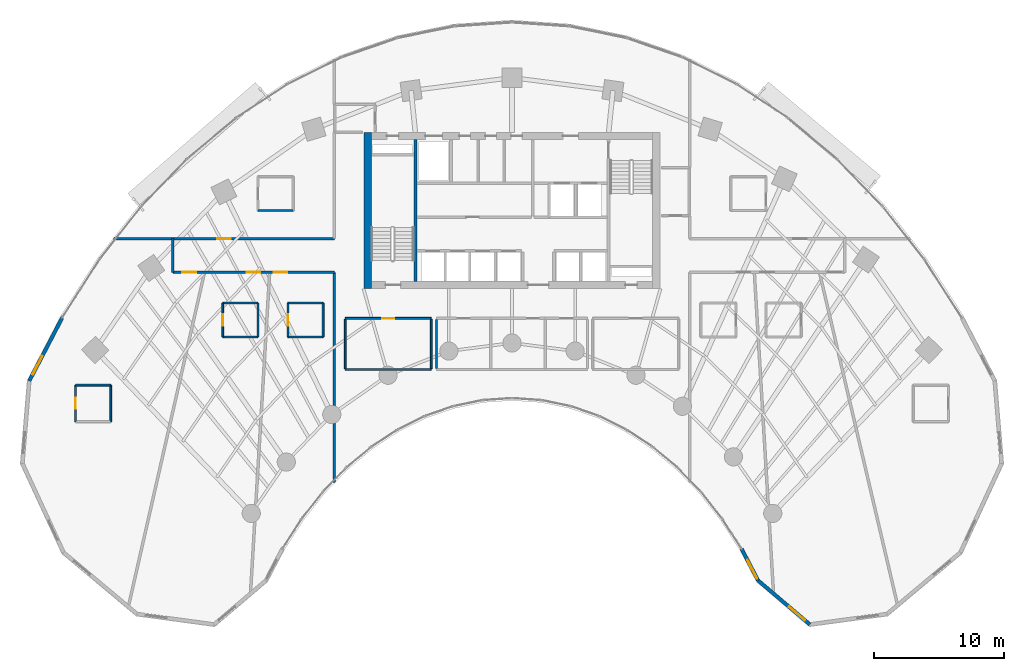
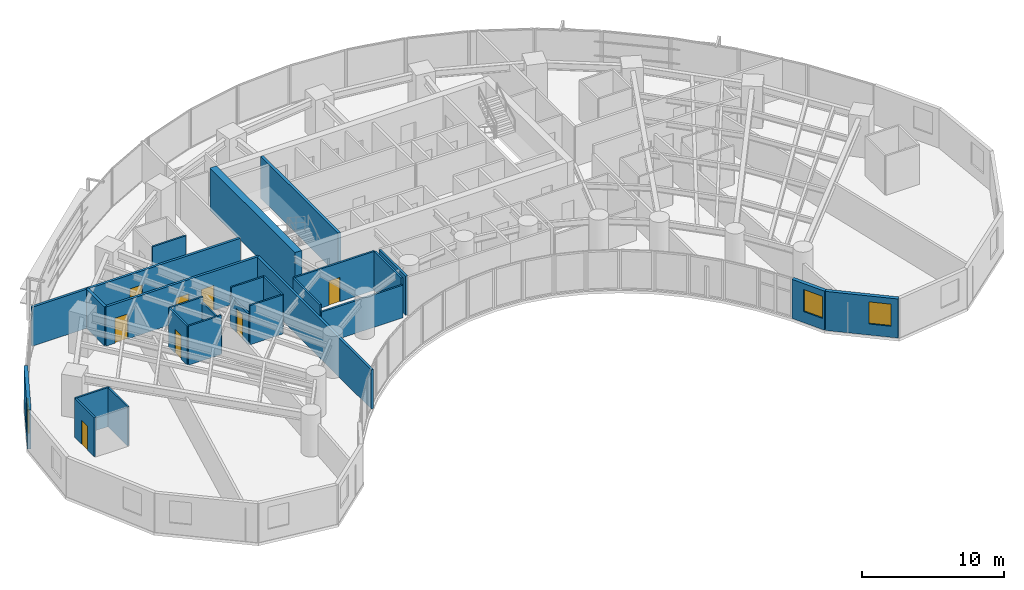
# One storey, part 11 of 17: 26 walls, 8 doors, 3 windows, 11 openings.
"""IFC4 building model written with IfcOpenShell, lengths in metres."""

from ifc_helpers import new_model, si_unit, direction, frame, frame_2d, origin, place, context, subcontext, project, spatial, rectangle, extrude, source, transform, mapped, material, layer, layer_set, type_object, type_shapes, element, fill, save


model = new_model("IFC4")

# Units and contexts
model_context = context("Model", 3, precision=1e-05, world=origin(), true_north=direction((0.0, 1.0)))
body_context = subcontext(model_context, "Body", "Model", "MODEL_VIEW")
ifc_project = project(units=[si_unit("LENGTHUNIT", "METRE"), si_unit("AREAUNIT", "SQUARE_METRE"), si_unit("VOLUMEUNIT", "CUBIC_METRE"), si_unit("PLANEANGLEUNIT", "RADIAN"), si_unit("MASSUNIT", "GRAM", prefix="KILO")], contexts=[model_context])

# Site, building, storey
site_placement = place(None, origin())
site = spatial("IfcSite", under=ifc_project, at=site_placement, CompositionType="ELEMENT")
building_placement = place(site_placement, origin())
building = spatial("IfcBuilding", under=site, at=building_placement, Name="Breltana Convention Tower", CompositionType="ELEMENT")
storey_placement = place(building_placement, frame((0.0, 0.0, 78.60009765625)))
storey = spatial("IfcBuildingStorey", under=building, at=storey_placement, Name="L18", CompositionType="ELEMENT", Elevation=78.60009765625)

# Walls
ifc_material_1 = material(Name="Concrete C60/75", Category="concrete")
ifc_layer_1 = layer(ifc_material_1, 0.550048828125, Name="Concrete C60/75")
ifc_layer_set_1 = layer_set([ifc_layer_1], Name="Concrete C60/75")
wall_type_1 = type_object("IfcWallType", Name="SW-CORE-550", PredefinedType="SHEAR", material=ifc_layer_set_1)
shared_shape_1 = source(origin(), body_context, "Body", "SweptSolid", [
    extrude(rectangle(XDim=12.0, YDim=0.550048828125, at=frame_2d((6.0, 0.0))), origin(), (0.0, 0.0, 1.0), 3.599853515625),
])
wall_1_placement = place(storey_placement, frame((36.925048828125, 60.199951171875, 0.0), z_axis=(0.0, 0.0, 1.0), x_axis=(0.0, 1.0, 0.0)))
element("IfcWall", 1, at=wall_1_placement, inside=storey, type_object=wall_type_1, Name="L18 West Core Shear Wall", PredefinedType="SHEAR", context=body_context, shape_type="MappedRepresentation", body=[
    mapped(shared_shape_1, transform((0.0, 0.0, 0.0), scale=1.0)),
])
ifc_material_2 = material(Name="Concrete C50/60", Category="concrete")
ifc_layer_2 = layer(ifc_material_2, 0.39990234375, Name="Concrete C50/60")
ifc_layer_set_2 = layer_set([ifc_layer_2], Name="Concrete C50/60")
wall_type_2 = type_object("IfcWallType", Name="SW-CORE-400", PredefinedType="SHEAR", material=ifc_layer_set_2)
shared_shape_2 = source(origin(), body_context, "Body", "SweptSolid", [
    extrude(rectangle(XDim=10.89990234375, YDim=0.219970703125, at=frame_2d((5.449951171875, 0.0))), origin(), (0.0, 0.0, 1.0), 3.599853515625),
])
wall_2_placement = place(storey_placement, frame((40.580078125, 60.75, 0.0), z_axis=(0.0, 0.0, 1.0), x_axis=(0.0, 1.0, 0.0)))
element("IfcWall", 2, at=wall_2_placement, inside=storey, type_object=wall_type_2, Name="L18 Core West Stair Spine Wall", PredefinedType="SHEAR", context=body_context, shape_type="MappedRepresentation", body=[
    mapped(shared_shape_2, transform((0.0, 0.0, 0.0), scale=1.0)),
])

# Wall, opening, window
ifc_material_3 = material(Name="Limestone Buff Insulated Wall", Category="masonry")
ifc_layer_3 = layer(ifc_material_3, 0.280029296875, Name="Limestone Buff Insulated Wall")
ifc_layer_set_3 = layer_set([ifc_layer_3], Name="Limestone Buff Insulated Wall")
wall_type_3 = type_object("IfcWallType", Name="WL-EXT-NOSE-280", PredefinedType="SOLIDWALL", material=ifc_layer_set_3)
shared_shape_3 = source(origin(), body_context, "Body", "SweptSolid", [
    extrude(rectangle(XDim=5.222412109375, YDim=0.280029296875, at=frame_2d((2.611328125, 0.0))), origin(), (0.0, 0.0, 1.0), 3.35986328125),
])
wall_3_placement = place(storey_placement, frame((70.8642578125, 34.4248046875, 0.0), z_axis=(0.0, 0.0, 1.0), x_axis=(-0.761900099546, 0.647694556339, 0.0)))
wall_3 = element("IfcWall", 3, at=wall_3_placement, inside=storey, type_object=wall_type_3, Name="L18 curved limestone nose wall E5", PredefinedType="SOLIDWALL", context=body_context, shape_type="MappedRepresentation", body=[
    mapped(shared_shape_3, transform((0.0, 0.0, 0.0), scale=1.0)),
])
opening_1_placement = place(wall_3_placement, frame((0.505615234375, 0.0, 0.949951171875)))
opening_1 = element("IfcOpeningElement", 4, at=opening_1_placement, cuts=wall_3, Name="Opening W-04", PredefinedType="OPENING", context=body_context, shape_type="SweptSolid", body=[
    extrude(rectangle(XDim=1.60009765625, YDim=1.89990234375, at=frame_2d((0.800048828125, 0.949951171875))), frame((0.0, 0.14990234375, 0.0), z_axis=(0.0, -1.0, 0.0), x_axis=(1.0, 0.0, 0.0)), (0.0, 0.0, 1.0), 0.300048828125),
])
ifc_material_4 = material(Name="Glass Low-E Insulated Window", Category="glass")
window_type = type_object("IfcWindowType", Name="WN-NOSE-1600X1900", PartitioningType="SINGLE_PANEL", PredefinedType="WINDOW", material=ifc_material_4)
shared_shape_4 = source(origin(), body_context, "Body", "SweptSolid", [
    extrude(rectangle(XDim=1.60009765625, YDim=1.89990234375, at=frame_2d((0.800048828125, 0.949951171875))), frame((0.0, 0.030029296875, 0.0), z_axis=(0.0, -1.0, 0.0), x_axis=(1.0, 0.0, 0.0)), (0.0, 0.0, 1.0), 0.06005859375),
])
type_shapes(window_type, [shared_shape_4])
window_1_placement = place(opening_1_placement, origin())
window_1 = element("IfcWindow", 5, at=window_1_placement, inside=storey, type_object=window_type, Name="L18 nose window E5", OverallHeight=1.89990234375, OverallWidth=1.60009765625, PartitioningType="SINGLE_PANEL", PredefinedType="WINDOW", context=body_context, shape_type="MappedRepresentation", body=[
    mapped(shared_shape_4, transform((0.0, 0.0, 0.0), scale=1.0)),
])
fill(opening_1, window_1)

shared_shape_5 = source(origin(), body_context, "Body", "SweptSolid", [
    extrude(rectangle(XDim=2.7353515625, YDim=0.280029296875, at=frame_2d((1.36767578125, 0.0))), origin(), (0.0, 0.0, 1.0), 3.35986328125),
])
wall_4_placement = place(storey_placement, frame((66.88525390625, 37.807373046875, 0.0), z_axis=(0.0, 0.0, 1.0), x_axis=(-0.46179107292, 0.886988728774, 0.0)))
wall_4 = element("IfcWall", 6, at=wall_4_placement, inside=storey, type_object=wall_type_3, Name="L18 curved limestone nose wall E6", PredefinedType="SOLIDWALL", context=body_context, shape_type="MappedRepresentation", body=[
    mapped(shared_shape_5, transform((0.0, 0.0, 0.0), scale=1.0)),
])
opening_2_placement = place(wall_4_placement, frame((0.159912109375, 0.0, 0.949951171875)))
opening_2 = element("IfcOpeningElement", 7, at=opening_2_placement, cuts=wall_4, Name="Opening W-04", PredefinedType="OPENING", context=body_context, shape_type="SweptSolid", body=[
    extrude(rectangle(XDim=1.60009765625, YDim=1.89990234375, at=frame_2d((0.800048828125, 0.949951171875))), frame((0.0, 0.14990234375, 0.0), z_axis=(0.0, -1.0, 0.0), x_axis=(1.0, 0.0, 0.0)), (0.0, 0.0, 1.0), 0.300048828125),
])
window_2_placement = place(opening_2_placement, origin())
window_2 = element("IfcWindow", 8, at=window_2_placement, inside=storey, type_object=window_type, Name="L18 nose window E6", OverallHeight=1.89990234375, OverallWidth=1.60009765625, PartitioningType="SINGLE_PANEL", PredefinedType="WINDOW", context=body_context, shape_type="MappedRepresentation", body=[
    mapped(shared_shape_4, transform((0.0, 0.0, 0.0), scale=1.0)),
])
fill(opening_2, window_2)

shared_shape_6 = source(origin(), body_context, "Body", "SweptSolid", [
    extrude(rectangle(XDim=5.45947265625, YDim=0.280029296875, at=frame_2d((2.729736328125, 0.0))), origin(), (0.0, 0.0, 1.0), 3.35986328125),
])
wall_5_placement = place(storey_placement, frame((10.947021484375, 53.1220703125, 0.0), z_axis=(0.0, 0.0, 1.0), x_axis=(0.461768054321, 0.887000712518, 0.0)))
wall_5 = element("IfcWall", 9, at=wall_5_placement, inside=storey, type_object=wall_type_3, Name="L18 curved limestone nose wall W7", PredefinedType="SOLIDWALL", context=body_context, shape_type="MappedRepresentation", body=[
    mapped(shared_shape_6, transform((0.0, 0.0, 0.0), scale=1.0)),
])
opening_3_placement = place(wall_5_placement, frame((0.56494140625, 0.0, 0.949951171875)))
opening_3 = element("IfcOpeningElement", 10, at=opening_3_placement, cuts=wall_5, Name="Opening W-04", PredefinedType="OPENING", context=body_context, shape_type="SweptSolid", body=[
    extrude(rectangle(XDim=1.60009765625, YDim=1.89990234375, at=frame_2d((0.800048828125, 0.949951171875))), frame((0.0, 0.14990234375, 0.0), z_axis=(0.0, -1.0, 0.0), x_axis=(1.0, 0.0, 0.0)), (0.0, 0.0, 1.0), 0.300048828125),
])
window_3_placement = place(opening_3_placement, origin())
window_3 = element("IfcWindow", 11, at=window_3_placement, inside=storey, type_object=window_type, Name="L18 nose window W7", OverallHeight=1.89990234375, OverallWidth=1.60009765625, PartitioningType="SINGLE_PANEL", PredefinedType="WINDOW", context=body_context, shape_type="MappedRepresentation", body=[
    mapped(shared_shape_4, transform((0.0, 0.0, 0.0), scale=1.0)),
])
fill(opening_3, window_3)

# Wall
ifc_material_5 = material(Name="Gypsum Acoustic Drywall Partition")
ifc_layer_4 = layer(ifc_material_5, 0.14990234375, Name="Gypsum Acoustic Drywall Partition")
ifc_layer_set_4 = layer_set([ifc_layer_4], Name="Gypsum Acoustic Drywall Partition")
wall_type_4 = type_object("IfcWallType", Name="WL-PART-150", PredefinedType="PARTITIONING", material=ifc_layer_set_4)
shared_shape_7 = source(origin(), body_context, "Body", "SweptSolid", [
    extrude(rectangle(XDim=6.60009765625, YDim=0.14990234375, at=frame_2d((3.300048828125, 0.0))), origin(), (0.0, 0.0, 1.0), 2.802978515625),
])
wall_6_placement = place(storey_placement, frame((35.199951171875, 54.0, 0.0), z_axis=(0.0, 0.0, 1.0), x_axis=(1.0, 0.0, 0.0)))
element("IfcWall", 12, at=wall_6_placement, inside=storey, type_object=wall_type_4, Name="L18 interior partition W-L18-HSK-S", PredefinedType="PARTITIONING", context=body_context, shape_type="MappedRepresentation", body=[
    mapped(shared_shape_7, transform((0.0, 0.0, 0.0), scale=1.0)),
])

# Wall, opening, door
shared_shape_8 = source(origin(), body_context, "Body", "SweptSolid", [
    extrude(rectangle(XDim=6.60009765625, YDim=0.14990234375, at=frame_2d((3.300048828125, 0.0))), origin(), (0.0, 0.0, 1.0), 3.35986328125),
])
wall_7_placement = place(storey_placement, frame((35.199951171875, 57.919921875, 0.0), z_axis=(0.0, 0.0, 1.0), x_axis=(1.0, 0.0, 0.0)))
wall_7 = element("IfcWall", 13, at=wall_7_placement, inside=storey, type_object=wall_type_4, Name="L18 interior partition W-L18-HSK-N", PredefinedType="PARTITIONING", context=body_context, shape_type="MappedRepresentation", body=[
    mapped(shared_shape_8, transform((0.0, 0.0, 0.0), scale=1.0)),
])
opening_4_placement = place(wall_7_placement, frame((2.85009765625, 0.0, 0.0)))
opening_4 = element("IfcOpeningElement", 14, at=opening_4_placement, cuts=wall_7, Name="Opening D-18", PredefinedType="OPENING", context=body_context, shape_type="SweptSolid", body=[
    extrude(rectangle(XDim=0.89990234375, YDim=2.10009765625, at=frame_2d((0.449951171875, 1.050048828125))), frame((0.0, 0.0849609375, 0.0), z_axis=(0.0, -1.0, 0.0), x_axis=(1.0, 0.0, 0.0)), (0.0, 0.0, 1.0), 0.169921875),
])
ifc_material_6 = material(Name="Steel Riser Fire Door", Category="steel")
door_type_1 = type_object("IfcDoorType", Name="DR-FD60-900", OperationType="NOTDEFINED", PredefinedType="DOOR", material=ifc_material_6)
shared_shape_9 = source(origin(), body_context, "Body", "SweptSolid", [
    extrude(rectangle(XDim=0.89990234375, YDim=2.10009765625, at=frame_2d((0.449951171875, 1.050048828125))), frame((0.0, 0.02490234375, 0.0), z_axis=(0.0, -1.0, 0.0), x_axis=(1.0, 0.0, 0.0)), (0.0, 0.0, 1.0), 0.050048828125),
])
type_shapes(door_type_1, [shared_shape_9])
door_1_placement = place(opening_4_placement, origin())
door_1 = element("IfcDoor", 15, at=door_1_placement, inside=storey, type_object=door_type_1, Name="L18 interior door D-L18-HSK", OperationType="SINGLE_SWING_RIGHT", OverallHeight=2.10009765625, OverallWidth=0.89990234375, PredefinedType="DOOR", context=body_context, shape_type="MappedRepresentation", body=[
    mapped(shared_shape_9, transform((0.0, 0.0, 0.0), scale=1.0)),
])
fill(opening_4, door_1)

# Walls
shared_shape_10 = source(origin(), body_context, "Body", "SweptSolid", [
    extrude(rectangle(XDim=3.78515625, YDim=0.14990234375, at=frame_2d((1.892578125, 0.0))), origin(), (0.0, 0.0, 1.0), 3.35986328125),
])
for number, where, z_axis, x_axis, name in (
    (16, (35.199951171875, 54.0673828125, 0.0), (0.0, 0.0, 1.0), (0.0, 1.0, 0.0), "L18 interior partition W-L18-HSK-W"),
    (17, (41.800048828125, 54.0673828125, 0.0), (0.0, 0.0, 1.0), (0.0, 1.0, 0.0), "L18 interior partition W-L18-HSK-E"),
):
    element("IfcWall", number, at=place(storey_placement, frame(where, z_axis=z_axis, x_axis=x_axis)), inside=storey, type_object=wall_type_4, Name=name, PredefinedType="PARTITIONING", context=body_context, shape_type="MappedRepresentation", body=[
        mapped(shared_shape_10, transform((0.0, 0.0, 0.0), scale=1.0)),
    ])
ifc_material_7 = material(Name="Cement Board Wet-Area Partition")
ifc_layer_5 = layer(ifc_material_7, 0.175048828125, Name="Cement Board Wet-Area Partition")
ifc_layer_set_5 = layer_set([ifc_layer_5], Name="Cement Board Wet-Area Partition")
wall_type_5 = type_object("IfcWallType", Name="WL-WET-175", PredefinedType="PARTITIONING", material=ifc_layer_set_5)
shared_shape_11 = source(origin(), body_context, "Body", "SweptSolid", [
    extrude(rectangle(XDim=3.7626953125, YDim=0.175048828125, at=frame_2d((1.88134765625, 0.0))), origin(), (0.0, 0.0, 1.0), 3.35986328125),
])
wall_8_placement = place(storey_placement, frame((42.199951171875, 54.07861328125, 0.0), z_axis=(0.0, 0.0, 1.0), x_axis=(0.0, 1.0, 0.0)))
element("IfcWall", 18, at=wall_8_placement, inside=storey, type_object=wall_type_5, Name="L18 interior partition W-L18-WCM-W", PredefinedType="PARTITIONING", context=body_context, shape_type="MappedRepresentation", body=[
    mapped(shared_shape_11, transform((0.0, 0.0, 0.0), scale=1.0)),
])
ifc_material_8 = material(Name="Gypsum Acoustic Hotel Wall")
ifc_layer_6 = layer(ifc_material_8, 0.195068359375, Name="Gypsum Acoustic Hotel Wall")
ifc_layer_set_6 = layer_set([ifc_layer_6], Name="Gypsum Acoustic Hotel Wall")
wall_type_6 = type_object("IfcWallType", Name="WL-HOTEL-200", PredefinedType="PARTITIONING", material=ifc_layer_set_6)
shared_shape_12 = source(origin(), body_context, "Body", "SweptSolid", [
    extrude(rectangle(XDim=2.580078125, YDim=0.195068359375, at=frame_2d((1.2900390625, 0.0))), origin(), (0.0, 0.0, 1.0), 3.35986328125),
])
wall_9_placement = place(storey_placement, frame((21.9599609375, 61.4599609375, 0.0), z_axis=(0.0, 0.0, 1.0), x_axis=(0.0, 1.0, 0.0)))
element("IfcWall", 19, at=wall_9_placement, inside=storey, type_object=wall_type_6, Name="L18 interior partition W-L18-CORHW-END", PredefinedType="PARTITIONING", context=body_context, shape_type="MappedRepresentation", body=[
    mapped(shared_shape_12, transform((0.0, 0.0, 0.0), scale=1.0)),
])
shared_shape_13 = source(origin(), body_context, "Body", "SweptSolid", [
    extrude(rectangle(XDim=16.13427734375, YDim=0.195068359375, at=frame_2d((8.067138671875, 0.0))), origin(), (0.0, 0.0, 1.0), 3.35986328125),
])
wall_10_placement = place(storey_placement, frame((34.360107421875, 45.32568359375, 0.0), z_axis=(0.0, 0.0, 1.0), x_axis=(0.0, 1.0, 0.0)))
element("IfcWall", 20, at=wall_10_placement, inside=storey, type_object=wall_type_6, Name="L18 interior partition W-L18-SUM-W", PredefinedType="PARTITIONING", context=body_context, shape_type="MappedRepresentation", body=[
    mapped(shared_shape_13, transform((0.0, 0.0, 0.0), scale=1.0)),
])

# Wall, opening, door
shared_shape_14 = source(origin(), body_context, "Body", "SweptSolid", [
    extrude(rectangle(XDim=16.9296875, YDim=0.195068359375, at=frame_2d((8.46484375, 0.0))), origin(), (0.0, 0.0, 1.0), 3.35986328125),
])
wall_11_placement = place(storey_placement, frame((17.430419921875, 64.0400390625, 0.0), z_axis=(0.0, 0.0, 1.0), x_axis=(1.0, 0.0, 0.0)))
wall_11 = element("IfcWall", 21, at=wall_11_placement, inside=storey, type_object=wall_type_6, Name="L18 interior partition W-L18-CORHW-N", PredefinedType="PARTITIONING", context=body_context, shape_type="MappedRepresentation", body=[
    mapped(shared_shape_14, transform((0.0, 0.0, 0.0), scale=1.0)),
])
opening_5_placement = place(wall_11_placement, frame((7.939697265625, 0.0, 0.0)))
opening_5 = element("IfcOpeningElement", 22, at=opening_5_placement, cuts=wall_11, Name="Opening D-13", PredefinedType="OPENING", context=body_context, shape_type="SweptSolid", body=[
    extrude(rectangle(XDim=1.050048828125, YDim=2.14990234375, at=frame_2d((0.52490234375, 1.074951171875))), frame((0.0, 0.107421875, 0.0), z_axis=(0.0, -1.0, 0.0), x_axis=(1.0, 0.0, 0.0)), (0.0, 0.0, 1.0), 0.215087890625),
])
ifc_material_9 = material(Name="Timber Solid-Core Fire Door", Category="wood")
door_type_2 = type_object("IfcDoorType", Name="DR-FD60-1050", OperationType="NOTDEFINED", PredefinedType="DOOR", material=ifc_material_9)
shared_shape_15 = source(origin(), body_context, "Body", "SweptSolid", [
    extrude(rectangle(XDim=1.050048828125, YDim=2.14990234375, at=frame_2d((0.52490234375, 1.074951171875))), frame((0.0, 0.02490234375, 0.0), z_axis=(0.0, -1.0, 0.0), x_axis=(1.0, 0.0, 0.0)), (0.0, 0.0, 1.0), 0.050048828125),
])
type_shapes(door_type_2, [shared_shape_15])
door_2_placement = place(opening_5_placement, origin())
door_2 = element("IfcDoor", 23, at=door_2_placement, inside=storey, type_object=door_type_2, Name="L18 interior door D-L18-PHWN1", OperationType="SINGLE_SWING_LEFT", OverallHeight=2.14990234375, OverallWidth=1.050048828125, PredefinedType="DOOR", context=body_context, shape_type="MappedRepresentation", body=[
    mapped(shared_shape_15, transform((0.0, 0.0, 0.0), scale=1.0)),
])
fill(opening_5, door_2)

# Wall, openings, doors
shared_shape_16 = source(origin(), body_context, "Body", "SweptSolid", [
    extrude(rectangle(XDim=12.400146484375, YDim=0.195068359375, at=frame_2d((6.2001953125, 0.0))), origin(), (0.0, 0.0, 1.0), 3.35986328125),
])
wall_12_placement = place(storey_placement, frame((21.9599609375, 61.4599609375, 0.0), z_axis=(0.0, 0.0, 1.0), x_axis=(1.0, 0.0, 0.0)))
wall_12 = element("IfcWall", 24, at=wall_12_placement, inside=storey, type_object=wall_type_6, Name="L18 interior partition W-L18-CORHW-S", PredefinedType="PARTITIONING", context=body_context, shape_type="MappedRepresentation", body=[
    mapped(shared_shape_16, transform((0.0, 0.0, 0.0), scale=1.0)),
])
opening_6_placement = place(wall_12_placement, frame((0.739990234375, 0.0, 0.0)))
opening_6 = element("IfcOpeningElement", 25, at=opening_6_placement, cuts=wall_12, Name="Opening D-13", PredefinedType="OPENING", context=body_context, shape_type="SweptSolid", body=[
    extrude(rectangle(XDim=1.050048828125, YDim=2.14990234375, at=frame_2d((0.52490234375, 1.074951171875))), frame((0.0, 0.107421875, 0.0), z_axis=(0.0, -1.0, 0.0), x_axis=(1.0, 0.0, 0.0)), (0.0, 0.0, 1.0), 0.215087890625),
])
opening_7_placement = place(wall_12_placement, frame((5.675048828125, 0.0, 0.0)))
opening_7 = element("IfcOpeningElement", 26, at=opening_7_placement, cuts=wall_12, Name="Opening D-13", PredefinedType="OPENING", context=body_context, shape_type="SweptSolid", body=[
    extrude(rectangle(XDim=1.050048828125, YDim=2.14990234375, at=frame_2d((0.52490234375, 1.074951171875))), frame((0.0, 0.107421875, 0.0), z_axis=(0.0, -1.0, 0.0), x_axis=(1.0, 0.0, 0.0)), (0.0, 0.0, 1.0), 0.215087890625),
])
opening_8_placement = place(wall_12_placement, frame((7.739990234375, 0.0, 0.0)))
opening_8 = element("IfcOpeningElement", 27, at=opening_8_placement, cuts=wall_12, Name="Opening D-13", PredefinedType="OPENING", context=body_context, shape_type="SweptSolid", body=[
    extrude(rectangle(XDim=1.050048828125, YDim=2.14990234375, at=frame_2d((0.52490234375, 1.074951171875))), frame((0.0, 0.107421875, 0.0), z_axis=(0.0, -1.0, 0.0), x_axis=(1.0, 0.0, 0.0)), (0.0, 0.0, 1.0), 0.215087890625),
])
door_3_placement = place(opening_6_placement, origin())
door_3 = element("IfcDoor", 28, at=door_3_placement, inside=storey, type_object=door_type_2, Name="L18 interior door D-L18-PHWS1", OperationType="SINGLE_SWING_LEFT", OverallHeight=2.14990234375, OverallWidth=1.050048828125, PredefinedType="DOOR", context=body_context, shape_type="MappedRepresentation", body=[
    mapped(shared_shape_15, transform((0.0, 0.0, 0.0), scale=1.0)),
])
fill(opening_6, door_3)
door_4_placement = place(opening_7_placement, origin())
door_4 = element("IfcDoor", 29, at=door_4_placement, inside=storey, type_object=door_type_2, Name="L18 interior door D-L18-PHWS2", OperationType="SINGLE_SWING_LEFT", OverallHeight=2.14990234375, OverallWidth=1.050048828125, PredefinedType="DOOR", context=body_context, shape_type="MappedRepresentation", body=[
    mapped(shared_shape_15, transform((0.0, 0.0, 0.0), scale=1.0)),
])
fill(opening_7, door_4)
door_5_placement = place(opening_8_placement, origin())
door_5 = element("IfcDoor", 30, at=door_5_placement, inside=storey, type_object=door_type_2, Name="L18 interior door D-L18-PHWS3", OperationType="SINGLE_SWING_LEFT", OverallHeight=2.14990234375, OverallWidth=1.050048828125, PredefinedType="DOOR", context=body_context, shape_type="MappedRepresentation", body=[
    mapped(shared_shape_15, transform((0.0, 0.0, 0.0), scale=1.0)),
])
fill(opening_8, door_5)

# Walls
ifc_material_10 = material(Name="Moisture-Resistant En-Suite Partition")
ifc_layer_7 = layer(ifc_material_10, 0.139892578125, Name="Moisture-Resistant En-Suite Partition")
ifc_layer_set_7 = layer_set([ifc_layer_7], Name="Moisture-Resistant En-Suite Partition")
wall_type_7 = type_object("IfcWallType", Name="WL-WET-150", PredefinedType="PARTITIONING", material=ifc_layer_set_7)
shared_shape_17 = source(origin(), body_context, "Body", "SweptSolid", [
    extrude(rectangle(XDim=2.699951171875, YDim=0.139892578125, at=frame_2d((1.35009765625, 0.0))), origin(), (0.0, 0.0, 1.0), 3.35986328125),
])
for number, where, z_axis, x_axis, name in (
    (31, (28.5, 66.199951171875, 0.0), (0.0, 0.0, 1.0), (1.0, 0.0, 0.0), "L18 interior partition W-L18-PHWN1E-S"),
    (32, (14.5, 52.800048828125, 0.0), (0.0, 0.0, 1.0), (1.0, 0.0, 0.0), "L18 interior partition W-L18-PHWS1E-N"),
    (33, (25.800048828125, 59.10009765625, 0.0), (0.0, 0.0, 1.0), (1.0, 0.0, 0.0), "L18 interior partition W-L18-PHWS2E-N"),
    (34, (25.800048828125, 56.5, 0.0), (0.0, 0.0, 1.0), (1.0, 0.0, 0.0), "L18 interior partition W-L18-PHWS2E-S"),
    (35, (30.800048828125, 59.10009765625, 0.0), (0.0, 0.0, 1.0), (1.0, 0.0, 0.0), "L18 interior partition W-L18-PHWS3E-N"),
    (36, (30.800048828125, 56.5, 0.0), (0.0, 0.0, 1.0), (1.0, 0.0, 0.0), "L18 interior partition W-L18-PHWS3E-S"),
):
    element("IfcWall", number, at=place(storey_placement, frame(where, z_axis=z_axis, x_axis=x_axis)), inside=storey, type_object=wall_type_7, Name=name, PredefinedType="PARTITIONING", context=body_context, shape_type="MappedRepresentation", body=[
        mapped(shared_shape_17, transform((0.0, 0.0, 0.0), scale=1.0)),
    ])

# Wall, opening, door
shared_shape_18 = source(origin(), body_context, "Body", "SweptSolid", [
    extrude(rectangle(XDim=2.60009765625, YDim=0.139892578125, at=frame_2d((1.300048828125, 0.0))), origin(), (0.0, 0.0, 1.0), 3.35986328125),
])
wall_13_placement = place(storey_placement, frame((25.800048828125, 56.5, 0.0), z_axis=(0.0, 0.0, 1.0), x_axis=(0.0, 1.0, 0.0)))
wall_13 = element("IfcWall", 37, at=wall_13_placement, inside=storey, type_object=wall_type_7, Name="L18 interior partition W-L18-PHWS2E-W", PredefinedType="PARTITIONING", context=body_context, shape_type="MappedRepresentation", body=[
    mapped(shared_shape_18, transform((0.0, 0.0, 0.0), scale=1.0)),
])
opening_9_placement = place(wall_13_placement, frame((0.875, 0.0, 0.0)))
opening_9 = element("IfcOpeningElement", 38, at=opening_9_placement, cuts=wall_13, Name="Opening D-21", PredefinedType="OPENING", context=body_context, shape_type="SweptSolid", body=[
    extrude(rectangle(XDim=0.85009765625, YDim=2.050048828125, at=frame_2d((0.425048828125, 1.02490234375))), frame((0.0, 0.080078125, 0.0), z_axis=(0.0, -1.0, 0.0), x_axis=(1.0, 0.0, 0.0)), (0.0, 0.0, 1.0), 0.159912109375),
])
ifc_material_11 = material(Name="Timber Moisture-Resistant En-Suite Door", Category="wood")
door_type_3 = type_object("IfcDoorType", Name="DR-WET-850", OperationType="NOTDEFINED", PredefinedType="DOOR", material=ifc_material_11)
shared_shape_19 = source(origin(), body_context, "Body", "SweptSolid", [
    extrude(rectangle(XDim=0.85009765625, YDim=2.050048828125, at=frame_2d((0.425048828125, 1.02490234375))), frame((0.0, 0.02490234375, 0.0), z_axis=(0.0, -1.0, 0.0), x_axis=(1.0, 0.0, 0.0)), (0.0, 0.0, 1.0), 0.050048828125),
])
type_shapes(door_type_3, [shared_shape_19])
door_6_placement = place(opening_9_placement, origin())
door_6 = element("IfcDoor", 39, at=door_6_placement, inside=storey, type_object=door_type_3, Name="L18 interior door D-L18-PHWS2E", OperationType="SINGLE_SWING_RIGHT", OverallHeight=2.050048828125, OverallWidth=0.85009765625, PredefinedType="DOOR", context=body_context, shape_type="MappedRepresentation", body=[
    mapped(shared_shape_19, transform((0.0, 0.0, 0.0), scale=1.0)),
])
fill(opening_9, door_6)

# Wall
wall_14_placement = place(storey_placement, frame((33.5, 56.5, 0.0), z_axis=(0.0, 0.0, 1.0), x_axis=(0.0, 1.0, 0.0)))
element("IfcWall", 40, at=wall_14_placement, inside=storey, type_object=wall_type_7, Name="L18 interior partition W-L18-PHWS3E-E", PredefinedType="PARTITIONING", context=body_context, shape_type="MappedRepresentation", body=[
    mapped(shared_shape_18, transform((0.0, 0.0, 0.0), scale=1.0)),
])

# Wall, opening, door
shared_shape_20 = source(origin(), body_context, "Body", "SweptSolid", [
    extrude(rectangle(XDim=2.800048828125, YDim=0.139892578125, at=frame_2d((1.39990234375, 0.0))), origin(), (0.0, 0.0, 1.0), 3.35986328125),
])
wall_15_placement = place(storey_placement, frame((14.5, 50.0, 0.0), z_axis=(0.0, 0.0, 1.0), x_axis=(0.0, 1.0, 0.0)))
wall_15 = element("IfcWall", 41, at=wall_15_placement, inside=storey, type_object=wall_type_7, Name="L18 interior partition W-L18-PHWS1E-W", PredefinedType="PARTITIONING", context=body_context, shape_type="MappedRepresentation", body=[
    mapped(shared_shape_20, transform((0.0, 0.0, 0.0), scale=1.0)),
])
opening_10_placement = place(wall_15_placement, frame((0.97509765625, 0.0, 0.0)))
opening_10 = element("IfcOpeningElement", 42, at=opening_10_placement, cuts=wall_15, Name="Opening D-21", PredefinedType="OPENING", context=body_context, shape_type="SweptSolid", body=[
    extrude(rectangle(XDim=0.85009765625, YDim=2.050048828125, at=frame_2d((0.425048828125, 1.02490234375))), frame((0.0, 0.080078125, 0.0), z_axis=(0.0, -1.0, 0.0), x_axis=(1.0, 0.0, 0.0)), (0.0, 0.0, 1.0), 0.159912109375),
])
door_7_placement = place(opening_10_placement, origin())
door_7 = element("IfcDoor", 43, at=door_7_placement, inside=storey, type_object=door_type_3, Name="L18 interior door D-L18-PHWS1E", OperationType="SINGLE_SWING_RIGHT", OverallHeight=2.050048828125, OverallWidth=0.85009765625, PredefinedType="DOOR", context=body_context, shape_type="MappedRepresentation", body=[
    mapped(shared_shape_19, transform((0.0, 0.0, 0.0), scale=1.0)),
])
fill(opening_10, door_7)

# Walls
wall_16_placement = place(storey_placement, frame((17.199951171875, 50.0, 0.0), z_axis=(0.0, 0.0, 1.0), x_axis=(0.0, 1.0, 0.0)))
element("IfcWall", 44, at=wall_16_placement, inside=storey, type_object=wall_type_7, Name="L18 interior partition W-L18-PHWS1E-E", PredefinedType="PARTITIONING", context=body_context, shape_type="MappedRepresentation", body=[
    mapped(shared_shape_20, transform((0.0, 0.0, 0.0), scale=1.0)),
])
shared_shape_21 = source(origin(), body_context, "Body", "SweptSolid", [
    extrude(rectangle(XDim=2.60009765625, YDim=0.139892578125, at=frame_2d((1.300048828125, 0.0))), origin(), (0.0, 0.0, 1.0), 2.8798828125),
])
wall_17_placement = place(storey_placement, frame((28.5, 56.5, 0.0), z_axis=(0.0, 0.0, 1.0), x_axis=(0.0, 1.0, 0.0)))
element("IfcWall", 45, at=wall_17_placement, inside=storey, type_object=wall_type_7, Name="L18 interior partition W-L18-PHWS2E-E", PredefinedType="PARTITIONING", context=body_context, shape_type="MappedRepresentation", body=[
    mapped(shared_shape_21, transform((0.0, 0.0, 0.0), scale=1.0)),
])

# Wall, opening, door
shared_shape_22 = source(origin(), body_context, "Body", "SweptSolid", [
    extrude(rectangle(XDim=2.60009765625, YDim=0.139892578125, at=frame_2d((1.300048828125, 0.0))), origin(), (0.0, 0.0, 1.0), 2.643798828125),
])
wall_18_placement = place(storey_placement, frame((30.800048828125, 56.5, 0.0), z_axis=(0.0, 0.0, 1.0), x_axis=(0.0, 1.0, 0.0)))
wall_18 = element("IfcWall", 46, at=wall_18_placement, inside=storey, type_object=wall_type_7, Name="L18 interior partition W-L18-PHWS3E-W", PredefinedType="PARTITIONING", context=body_context, shape_type="MappedRepresentation", body=[
    mapped(shared_shape_22, transform((0.0, 0.0, 0.0), scale=1.0)),
])
opening_11_placement = place(wall_18_placement, frame((0.875, 0.0, 0.0)))
opening_11 = element("IfcOpeningElement", 47, at=opening_11_placement, cuts=wall_18, Name="Opening D-21", PredefinedType="OPENING", context=body_context, shape_type="SweptSolid", body=[
    extrude(rectangle(XDim=0.85009765625, YDim=2.050048828125, at=frame_2d((0.425048828125, 1.02490234375))), frame((0.0, 0.080078125, 0.0), z_axis=(0.0, -1.0, 0.0), x_axis=(1.0, 0.0, 0.0)), (0.0, 0.0, 1.0), 0.159912109375),
])
door_8_placement = place(opening_11_placement, origin())
door_8 = element("IfcDoor", 48, at=door_8_placement, inside=storey, type_object=door_type_3, Name="L18 interior door D-L18-PHWS3E", OperationType="SINGLE_SWING_RIGHT", OverallHeight=2.050048828125, OverallWidth=0.85009765625, PredefinedType="DOOR", context=body_context, shape_type="MappedRepresentation", body=[
    mapped(shared_shape_19, transform((0.0, 0.0, 0.0), scale=1.0)),
])
fill(opening_11, door_8)

save(model, "model.ifc")
